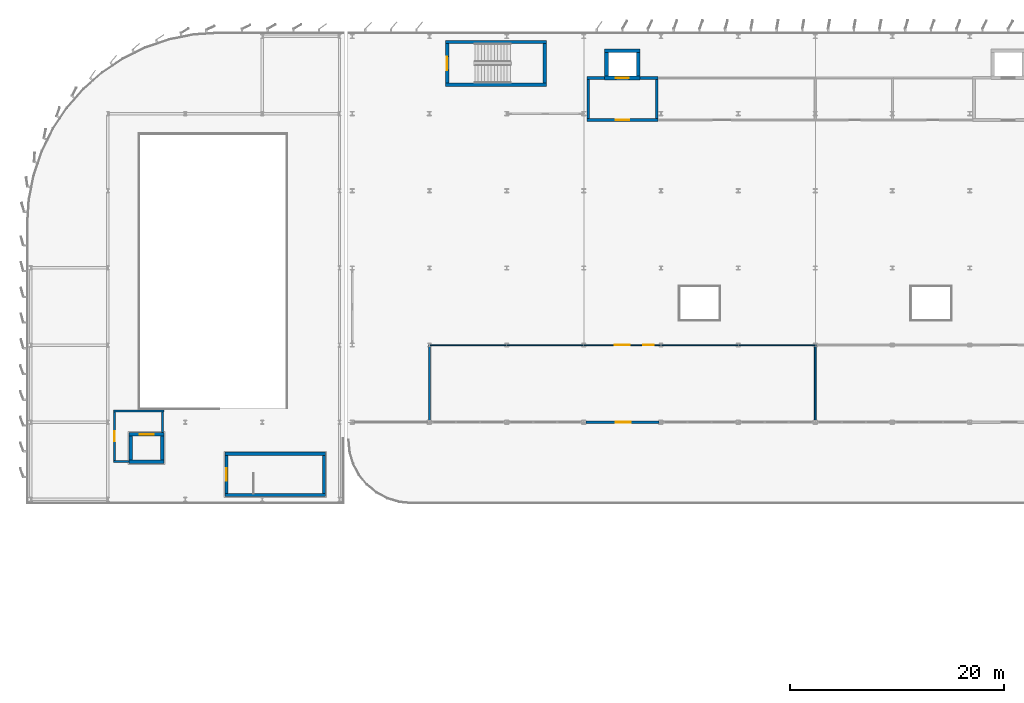
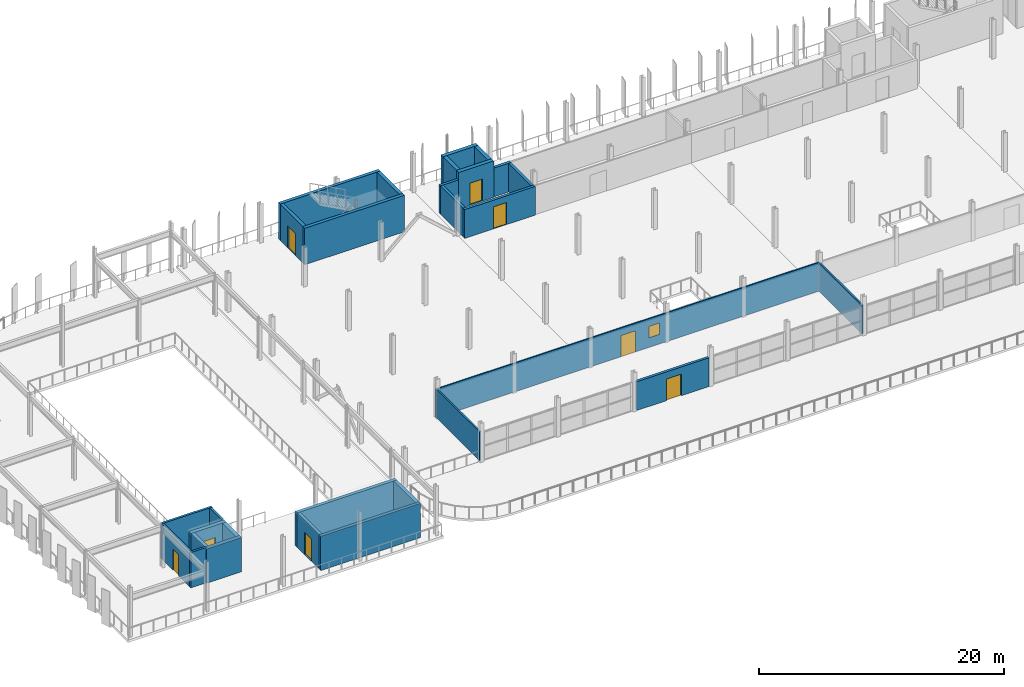
# One storey, part 27 of 40: 29 walls, 8 doors, 1 window, 9 openings.
"""IFC4 building model written with IfcOpenShell, lengths in metres."""

from ifc_helpers import new_model, si_unit, direction, frame, frame_2d, origin, place, context, subcontext, project, spatial, rectangle, extrude, material, layer, layer_set, type_object, element, fill, save


model = new_model("IFC4")

# Units and contexts
model_context = context("Model", 3, precision=1e-05, world=origin(), true_north=direction((0.0, 1.0)))
body_context = subcontext(model_context, "Body", "Model", "MODEL_VIEW")
ifc_project = project(units=[si_unit("LENGTHUNIT", "METRE"), si_unit("AREAUNIT", "SQUARE_METRE"), si_unit("VOLUMEUNIT", "CUBIC_METRE"), si_unit("PLANEANGLEUNIT", "RADIAN"), si_unit("MASSUNIT", "GRAM", prefix="KILO")], contexts=[model_context])

# Site, building, storey
site_placement = place(None, origin())
site = spatial("IfcSite", under=ifc_project, at=site_placement, CompositionType="ELEMENT")
building_placement = place(site_placement, origin())
building = spatial("IfcBuilding", under=site, at=building_placement, Name="Vaelcorin Mobility Hub", CompositionType="ELEMENT")
storey_placement = place(building_placement, frame((0.0, 0.0, 17.10009765625)))
storey = spatial("IfcBuildingStorey", under=building, at=storey_placement, Name="L04", CompositionType="ELEMENT", Elevation=17.10009765625)

# Walls
ifc_material_1 = material(Name="Reinforced concrete f'c 45 MPa", Category="concrete")
ifc_layer_1 = layer(ifc_material_1, 0.300048828125)
ifc_layer_set_1 = layer_set([ifc_layer_1], Name="Reinforced concrete f'c 45 MPa")
wall_type_1 = type_object("IfcWallType", Name="WL-CORE-300", PredefinedType="SOLIDWALL", material=ifc_layer_set_1)
for number, where, z_axis, x_axis, name in (
    (1, (33.5, 77.199951171875, 0.0), (0.0, 0.0, 1.0), (-1.0, 0.0, 0.0), "ST1 Fire Core Wall L04 South"),
    (2, (24.10009765625, 81.06005859375, 0.0), (0.0, 0.0, 1.0), (1.0, 0.0, 0.0), "ST1 Fire Core Wall L04 North"),
):
    element("IfcWall", number, at=place(storey_placement, frame(where, z_axis=z_axis, x_axis=x_axis)), inside=storey, type_object=wall_type_1, Name=name, PredefinedType="SOLIDWALL", context=body_context, shape_type="SweptSolid", body=[
        extrude(rectangle(XDim=9.39990234375, YDim=0.300048828125, at=frame_2d((4.699951171875, 0.0))), origin(), (0.0, 0.0, 1.0), 3.39990234375),
    ])

# Wall, opening, door
wall_1_placement = place(storey_placement, frame((24.25, 77.35009765625, 0.0), z_axis=(0.0, 0.0, 1.0), x_axis=(0.0, 1.0, 0.0)))
wall_1 = element("IfcWall", 3, at=wall_1_placement, inside=storey, type_object=wall_type_1, Name="ST1 Fire Core Wall L04 West", PredefinedType="SOLIDWALL", context=body_context, shape_type="SweptSolid", body=[
    extrude(rectangle(XDim=3.559814453125, YDim=0.300048828125, at=frame_2d((1.77978515625, 0.0))), origin(), (0.0, 0.0, 1.0), 3.39990234375),
])
opening_1_placement = place(wall_1_placement, frame((1.179931640625, 0.0, 0.0)))
opening_1 = element("IfcOpeningElement", 4, at=opening_1_placement, cuts=wall_1, Name="Opening SD01", PredefinedType="OPENING", context=body_context, shape_type="SweptSolid", body=[
    extrude(rectangle(XDim=1.199951171875, YDim=2.199951171875, at=frame_2d((0.60009765625, 1.10009765625))), frame((0.0, 0.159912109375, 0.0), z_axis=(0.0, -1.0, 0.0), x_axis=(1.0, 0.0, 0.0)), (0.0, 0.0, 1.0), 0.320068359375),
])
ifc_material_2 = material(Name="Hollow-metal insulated steel fire door", Category="steel")
door_type_1 = type_object("IfcDoorType", Name="DR-STAIR-90", OperationType="NOTDEFINED", PredefinedType="DOOR", material=ifc_material_2)
door_1_placement = place(opening_1_placement, origin())
door_1 = element("IfcDoor", 5, at=door_1_placement, inside=storey, type_object=door_type_1, Name="ST1 Protected Stair Door L04", OperationType="SINGLE_SWING_LEFT", OverallHeight=2.199951171875, OverallWidth=1.199951171875, PredefinedType="DOOR", context=body_context, shape_type="SweptSolid", body=[
    extrude(rectangle(XDim=1.199951171875, YDim=2.199951171875, at=frame_2d((0.60009765625, 1.10009765625))), frame((0.0, 0.02490234375, 0.0), z_axis=(0.0, -1.0, 0.0), x_axis=(1.0, 0.0, 0.0)), (0.0, 0.0, 1.0), 0.050048828125),
])
fill(opening_1, door_1)

# Walls
wall_2_placement = place(storey_placement, frame((33.35009765625, 80.909912109375, 0.0), z_axis=(0.0, 0.0, 1.0), x_axis=(0.0, -1.0, 0.0)))
element("IfcWall", 6, at=wall_2_placement, inside=storey, type_object=wall_type_1, Name="ST1 Fire Core Wall L04 East", PredefinedType="SOLIDWALL", context=body_context, shape_type="SweptSolid", body=[
    extrude(rectangle(XDim=3.559814453125, YDim=0.300048828125, at=frame_2d((1.77978515625, 0.0))), origin(), (0.0, 0.0, 1.0), 3.39990234375),
])
for number, where, z_axis, x_axis, name in (
    (7, (54.10009765625, 115.5, 0.0), (0.0, 0.0, 1.0), (-1.0, 0.0, 0.0), "ST3 Fire Core Wall L04 South"),
    (8, (44.699951171875, 119.47998046875, 0.0), (0.0, 0.0, 1.0), (1.0, 0.0, 0.0), "ST3 Fire Core Wall L04 North"),
):
    element("IfcWall", number, at=place(storey_placement, frame(where, z_axis=z_axis, x_axis=x_axis)), inside=storey, type_object=wall_type_1, Name=name, PredefinedType="SOLIDWALL", context=body_context, shape_type="SweptSolid", body=[
        extrude(rectangle(XDim=9.400146484375, YDim=0.300048828125, at=frame_2d((4.7001953125, 0.0))), origin(), (0.0, 0.0, 1.0), 3.639892578125),
    ])

# Wall, opening, door
wall_3_placement = place(storey_placement, frame((44.85009765625, 115.64990234375, 0.0), z_axis=(0.0, 0.0, 1.0), x_axis=(0.0, 1.0, 0.0)))
wall_3 = element("IfcWall", 9, at=wall_3_placement, inside=storey, type_object=wall_type_1, Name="ST3 Fire Core Wall L04 West", PredefinedType="SOLIDWALL", context=body_context, shape_type="SweptSolid", body=[
    extrude(rectangle(XDim=3.68017578125, YDim=0.300048828125, at=frame_2d((1.840087890625, 0.0))), origin(), (0.0, 0.0, 1.0), 3.639892578125),
])
opening_2_placement = place(wall_3_placement, frame((1.215087890625, 0.0, 0.0)))
opening_2 = element("IfcOpeningElement", 10, at=opening_2_placement, cuts=wall_3, Name="Opening SD02", PredefinedType="OPENING", context=body_context, shape_type="SweptSolid", body=[
    extrude(rectangle(XDim=1.25, YDim=2.199951171875, at=frame_2d((0.625, 1.10009765625))), frame((0.0, 0.159912109375, 0.0), z_axis=(0.0, -1.0, 0.0), x_axis=(1.0, 0.0, 0.0)), (0.0, 0.0, 1.0), 0.320068359375),
])
door_type_2 = type_object("IfcDoorType", Name="DR-STAIR-FF", OperationType="NOTDEFINED", PredefinedType="DOOR", material=ifc_material_2)
door_2_placement = place(opening_2_placement, origin())
door_2 = element("IfcDoor", 11, at=door_2_placement, inside=storey, type_object=door_type_2, Name="ST3 Protected Stair Door L04", OperationType="SINGLE_SWING_LEFT", OverallHeight=2.199951171875, OverallWidth=1.25, PredefinedType="DOOR", context=body_context, shape_type="SweptSolid", body=[
    extrude(rectangle(XDim=1.25, YDim=2.199951171875, at=frame_2d((0.625, 1.10009765625))), frame((0.0, 0.02490234375, 0.0), z_axis=(0.0, -1.0, 0.0), x_axis=(1.0, 0.0, 0.0)), (0.0, 0.0, 1.0), 0.050048828125),
])
fill(opening_2, door_2)

# Wall
wall_4_placement = place(storey_placement, frame((53.949951171875, 119.330078125, 0.0), z_axis=(0.0, 0.0, 1.0), x_axis=(0.0, -1.0, 0.0)))
element("IfcWall", 12, at=wall_4_placement, inside=storey, type_object=wall_type_1, Name="ST3 Fire Core Wall L04 East", PredefinedType="SOLIDWALL", context=body_context, shape_type="SweptSolid", body=[
    extrude(rectangle(XDim=3.68017578125, YDim=0.300048828125, at=frame_2d((1.840087890625, 0.0))), origin(), (0.0, 0.0, 1.0), 3.639892578125),
])

# Wall, opening, door
ifc_material_3 = material(Name="Insulated exterior precast concrete C40/50", Category="concrete")
ifc_layer_2 = layer(ifc_material_3, 0.239990234375)
ifc_layer_set_2 = layer_set([ifc_layer_2], Name="Insulated exterior precast concrete C40/50")
wall_type_2 = type_object("IfcWallType", Name="WL-EXT-240", PredefinedType="STANDARD", material=ifc_layer_set_2)
wall_5_placement = place(storey_placement, frame((64.60791015625, 84.0, 0.0), z_axis=(0.0, 0.0, 1.0), x_axis=(-1.0, 0.0, 0.0)))
wall_5 = element("IfcWall", 13, at=wall_5_placement, inside=storey, type_object=wall_type_2, Name="L04 Exterior Wall V4-EW-L04-S-04", PredefinedType="STANDARD", context=body_context, shape_type="SweptSolid", body=[
    extrude(rectangle(XDim=6.81591796875, YDim=0.239990234375, at=frame_2d((3.407958984375, 0.0))), origin(), (0.0, 0.0, 1.0), 2.867919921875),
])
opening_3_placement = place(wall_5_placement, frame((2.617919921875, 0.0, 0.0)))
opening_3 = element("IfcOpeningElement", 14, at=opening_3_placement, cuts=wall_5, Name="Opening ED04", PredefinedType="OPENING", context=body_context, shape_type="SweptSolid", body=[
    extrude(rectangle(XDim=1.39990234375, YDim=2.14990234375, at=frame_2d((0.699951171875, 1.074951171875))), frame((0.0, 0.1298828125, 0.0), z_axis=(0.0, -1.0, 0.0), x_axis=(1.0, 0.0, 0.0)), (0.0, 0.0, 1.0), 0.260009765625),
])
ifc_material_4 = material(Name="Anodised aluminium 6063-T6", Category="aluminium")
door_type_3 = type_object("IfcDoorType", Name="DR-EXT-1400X2150", OperationType="NOTDEFINED", PredefinedType="DOOR", material=ifc_material_4)
door_3_placement = place(opening_3_placement, origin())
door_3 = element("IfcDoor", 15, at=door_3_placement, inside=storey, type_object=door_type_3, Name="L04 Exterior Door DR-L04-VER-04", OperationType="SINGLE_SWING_RIGHT", OverallHeight=2.14990234375, OverallWidth=1.39990234375, PredefinedType="DOOR", context=body_context, shape_type="SweptSolid", body=[
    extrude(rectangle(XDim=1.39990234375, YDim=2.14990234375, at=frame_2d((0.699951171875, 1.074951171875))), frame((0.0, 0.02490234375, 0.0), z_axis=(0.0, -1.0, 0.0), x_axis=(1.0, 0.0, 0.0)), (0.0, 0.0, 1.0), 0.050048828125),
])
fill(opening_3, door_3)

# Wall, openings, door, window
ifc_material_5 = material(Name="Fire-rated acoustic steel-stud gypsum board", Category="steel")
ifc_layer_3 = layer(ifc_material_5, 0.10498046875)
ifc_layer_set_3 = layer_set([ifc_layer_3], Name="Fire-rated acoustic steel-stud gypsum board")
wall_type_3 = type_object("IfcWallType", Name="WL-PART-105", PredefinedType="PARTITIONING", material=ifc_layer_set_3)
wall_6_placement = place(storey_placement, frame((43.1201171875, 91.199951171875, 0.0), z_axis=(0.0, 0.0, 1.0), x_axis=(1.0, 0.0, 0.0)))
wall_6 = element("IfcWall", 16, at=wall_6_placement, inside=storey, type_object=wall_type_3, Name="Veranda Mobility Lounge Partition North", PredefinedType="PARTITIONING", context=body_context, shape_type="SweptSolid", body=[
    extrude(rectangle(XDim=36.159912109375, YDim=0.10498046875, at=frame_2d((18.080078125, 0.0))), origin(), (0.0, 0.0, 1.0), 2.86279296875),
])
opening_4_placement = place(wall_6_placement, frame((17.389892578125, 0.0, 0.0)))
opening_4 = element("IfcOpeningElement", 17, at=opening_4_placement, cuts=wall_6, Name="Opening ID10", PredefinedType="OPENING", context=body_context, shape_type="SweptSolid", body=[
    extrude(rectangle(XDim=1.3798828125, YDim=2.10009765625, at=frame_2d((0.68994140625, 1.050048828125))), frame((0.0, 0.0625, 0.0), z_axis=(0.0, -1.0, 0.0), x_axis=(1.0, 0.0, 0.0)), (0.0, 0.0, 1.0), 0.125),
])
opening_5_placement = place(wall_6_placement, frame((20.02001953125, 0.0, 0.949951171875)))
opening_5 = element("IfcOpeningElement", 18, at=opening_5_placement, cuts=wall_6, Name="Opening IW-WN05", PredefinedType="OPENING", context=body_context, shape_type="SweptSolid", body=[
    extrude(rectangle(XDim=1.0, YDim=1.14990234375, at=frame_2d((0.5, 0.574951171875))), frame((0.0, 0.0625, 0.0), z_axis=(0.0, -1.0, 0.0), x_axis=(1.0, 0.0, 0.0)), (0.0, 0.0, 1.0), 0.125),
])
ifc_material_6 = material(Name="Solid-core hardwood fire door assembly", Category="wood")
door_type_4 = type_object("IfcDoorType", Name="DR-INT-10", OperationType="NOTDEFINED", PredefinedType="DOOR", material=ifc_material_6)
door_4_placement = place(opening_4_placement, origin())
door_4 = element("IfcDoor", 19, at=door_4_placement, inside=storey, type_object=door_type_4, Name="Veranda Mobility Lounge Door", OperationType="SINGLE_SWING_RIGHT", OverallHeight=2.10009765625, OverallWidth=1.3798828125, PredefinedType="DOOR", context=body_context, shape_type="SweptSolid", body=[
    extrude(rectangle(XDim=1.3798828125, YDim=2.10009765625, at=frame_2d((0.68994140625, 1.050048828125))), frame((0.0, 0.02490234375, 0.0), z_axis=(0.0, -1.0, 0.0), x_axis=(1.0, 0.0, 0.0)), (0.0, 0.0, 1.0), 0.050048828125),
])
fill(opening_4, door_4)
ifc_material_7 = material(Name="Acoustic laminated fire-rated interior glazing", Category="glass")
window_type = type_object("IfcWindowType", Name="WIN-INT-05", PartitioningType="SINGLE_PANEL", PredefinedType="WINDOW", material=ifc_material_7)
window_placement = place(opening_5_placement, origin())
window = element("IfcWindow", 20, at=window_placement, inside=storey, type_object=window_type, Name="Veranda Mobility Lounge Observation Glazing", OverallHeight=1.14990234375, OverallWidth=1.0, PartitioningType="SINGLE_PANEL", PredefinedType="WINDOW", context=body_context, shape_type="SweptSolid", body=[
    extrude(rectangle(XDim=1.0, YDim=1.14990234375, at=frame_2d((0.5, 0.574951171875))), frame((0.0, 0.030029296875, 0.0), z_axis=(0.0, -1.0, 0.0), x_axis=(1.0, 0.0, 0.0)), (0.0, 0.0, 1.0), 0.06005859375),
])
fill(opening_5, window)

# Walls
ifc_layer_4 = layer(ifc_material_5, 0.14501953125)
ifc_layer_set_4 = layer_set([ifc_layer_4], Name="Fire-rated acoustic steel-stud gypsum board")
wall_type_4 = type_object("IfcWallType", Name="WL-PART-145", PredefinedType="PARTITIONING", material=ifc_layer_set_4)
wall_7_placement = place(storey_placement, frame((43.199951171875, 84.1220703125, 0.0), z_axis=(0.0, 0.0, 1.0), x_axis=(0.0, 1.0, 0.0)))
element("IfcWall", 21, at=wall_7_placement, inside=storey, type_object=wall_type_4, Name="Veranda Mobility Lounge Partition West", PredefinedType="PARTITIONING", context=body_context, shape_type="SweptSolid", body=[
    extrude(rectangle(XDim=7.02392578125, YDim=0.14501953125, at=frame_2d((3.511962890625, 0.0))), origin(), (0.0, 0.0, 1.0), 2.86279296875),
])
ifc_layer_5 = layer(ifc_material_5, 0.14990234375)
ifc_layer_set_5 = layer_set([ifc_layer_5], Name="Fire-rated acoustic steel-stud gypsum board")
wall_type_5 = type_object("IfcWallType", Name="WL-PART-150", PredefinedType="PARTITIONING", material=ifc_layer_set_5)
wall_8_placement = place(storey_placement, frame((79.199951171875, 91.14306640625, 0.0), z_axis=(0.0, 0.0, 1.0), x_axis=(0.0, -1.0, 0.0)))
element("IfcWall", 22, at=wall_8_placement, inside=storey, type_object=wall_type_5, Name="Veranda Mobility Lounge Partition East", PredefinedType="PARTITIONING", context=body_context, shape_type="SweptSolid", body=[
    extrude(rectangle(XDim=7.02099609375, YDim=0.14990234375, at=frame_2d((3.510498046875, 0.0))), origin(), (0.0, 0.0, 1.0), 2.86279296875),
])
ifc_material_8 = material(Name="Reinforced acoustic concrete masonry C30/37", Category="masonry")
ifc_layer_6 = layer(ifc_material_8, 0.205078125)
ifc_layer_set_6 = layer_set([ifc_layer_6], Name="Reinforced acoustic concrete masonry C30/37")
wall_type_6 = type_object("IfcWallType", Name="WL-PART-205", PredefinedType="PARTITIONING", material=ifc_layer_set_6)
wall_9_placement = place(storey_placement, frame((13.697998046875, 85.050048828125, 0.0), z_axis=(0.0, 0.0, 1.0), x_axis=(1.0, 0.0, 0.0)))
element("IfcWall", 23, at=wall_9_placement, inside=storey, type_object=wall_type_6, Name="West Drum Lift Lobby L04 Partition North", PredefinedType="PARTITIONING", context=body_context, shape_type="SweptSolid", body=[
    extrude(rectangle(XDim=4.751953125, YDim=0.205078125, at=frame_2d((2.3759765625, 0.0))), origin(), (0.0, 0.0, 1.0), 3.517822265625),
])
wall_10_placement = place(storey_placement, frame((15.14794921875, 80.324951171875, 0.0), z_axis=(0.0, 0.0, 1.0), x_axis=(-1.0, 0.0, 0.0)))
element("IfcWall", 24, at=wall_10_placement, inside=storey, type_object=wall_type_6, Name="West Drum Lift Lobby L04 Return Wall South", PredefinedType="PARTITIONING", context=body_context, shape_type="SweptSolid", body=[
    extrude(rectangle(XDim=1.449951171875, YDim=0.205078125, at=frame_2d((0.72509765625, 0.0))), origin(), (0.0, 0.0, 1.0), 3.517822265625),
])

# Wall, opening, door
wall_11_placement = place(storey_placement, frame((13.800048828125, 80.429931640625, 0.0), z_axis=(0.0, 0.0, 1.0), x_axis=(0.0, 1.0, 0.0)))
wall_11 = element("IfcWall", 25, at=wall_11_placement, inside=storey, type_object=wall_type_6, Name="West Drum Lift Lobby L04 Partition West", PredefinedType="PARTITIONING", context=body_context, shape_type="SweptSolid", body=[
    extrude(rectangle(XDim=4.51611328125, YDim=0.205078125, at=frame_2d((2.258056640625, 0.0))), origin(), (0.0, 0.0, 1.0), 3.517822265625),
])
opening_6_placement = place(wall_11_placement, frame((1.7880859375, 0.0, 0.0)))
opening_6 = element("IfcOpeningElement", 26, at=opening_6_placement, cuts=wall_11, Name="Opening ID02", PredefinedType="OPENING", context=body_context, shape_type="SweptSolid", body=[
    extrude(rectangle(XDim=0.93994140625, YDim=2.10009765625, at=frame_2d((0.469970703125, 1.050048828125))), frame((0.0, 0.112548828125, 0.0), z_axis=(0.0, -1.0, 0.0), x_axis=(1.0, 0.0, 0.0)), (0.0, 0.0, 1.0), 0.22509765625),
])
door_type_5 = type_object("IfcDoorType", Name="DR-INT-02", OperationType="NOTDEFINED", PredefinedType="DOOR", material=ifc_material_6)
door_5_placement = place(opening_6_placement, origin())
door_5 = element("IfcDoor", 27, at=door_5_placement, inside=storey, type_object=door_type_5, Name="West Drum Lift Lobby L04 Door", OperationType="SINGLE_SWING_LEFT", OverallHeight=2.10009765625, OverallWidth=0.93994140625, PredefinedType="DOOR", context=body_context, shape_type="SweptSolid", body=[
    extrude(rectangle(XDim=0.93994140625, YDim=2.10009765625, at=frame_2d((0.469970703125, 1.050048828125))), frame((0.0, 0.02490234375, 0.0), z_axis=(0.0, -1.0, 0.0), x_axis=(1.0, 0.0, 0.0)), (0.0, 0.0, 1.0), 0.050048828125),
])
fill(opening_6, door_5)

# Wall
wall_12_placement = place(storey_placement, frame((18.300048828125, 84.946044921875, 0.0), z_axis=(0.0, 0.0, 1.0), x_axis=(0.0, -1.0, 0.0)))
element("IfcWall", 28, at=wall_12_placement, inside=storey, type_object=wall_type_6, Name="West Drum Lift Lobby L04 Return Wall East", PredefinedType="PARTITIONING", context=body_context, shape_type="SweptSolid", body=[
    extrude(rectangle(XDim=1.89404296875, YDim=0.205078125, at=frame_2d((0.947021484375, 0.0))), origin(), (0.0, 0.0, 1.0), 3.517822265625),
])

# Wall, opening, door
ifc_layer_7 = layer(ifc_material_8, 0.25)
ifc_layer_set_7 = layer_set([ifc_layer_7], Name="Reinforced acoustic concrete masonry C30/37")
wall_type_7 = type_object("IfcWallType", Name="WL-PART-250", PredefinedType="PARTITIONING", material=ifc_layer_set_7)
wall_13_placement = place(storey_placement, frame((64.52490234375, 112.199951171875, 0.0), z_axis=(0.0, 0.0, 1.0), x_axis=(-1.0, 0.0, 0.0)))
wall_13 = element("IfcWall", 29, at=wall_13_placement, inside=storey, type_object=wall_type_7, Name="Firefighting Lobby West L04 Partition South", PredefinedType="PARTITIONING", context=body_context, shape_type="SweptSolid", body=[
    extrude(rectangle(XDim=6.64990234375, YDim=0.25, at=frame_2d((3.324951171875, 0.0))), origin(), (0.0, 0.0, 1.0), 2.86279296875),
])
opening_7_placement = place(wall_13_placement, frame((2.699951171875, 0.0, 0.0)))
opening_7 = element("IfcOpeningElement", 30, at=opening_7_placement, cuts=wall_13, Name="Opening SD02", PredefinedType="OPENING", context=body_context, shape_type="SweptSolid", body=[
    extrude(rectangle(XDim=1.25, YDim=2.199951171875, at=frame_2d((0.625, 1.10009765625))), frame((0.0, 0.135009765625, 0.0), z_axis=(0.0, -1.0, 0.0), x_axis=(1.0, 0.0, 0.0)), (0.0, 0.0, 1.0), 0.27001953125),
])
door_6_placement = place(opening_7_placement, origin())
door_6 = element("IfcDoor", 31, at=door_6_placement, inside=storey, type_object=door_type_2, Name="Firefighting Lobby West L04 Door", OperationType="SINGLE_SWING_LEFT", OverallHeight=2.199951171875, OverallWidth=1.25, PredefinedType="DOOR", context=body_context, shape_type="SweptSolid", body=[
    extrude(rectangle(XDim=1.25, YDim=2.199951171875, at=frame_2d((0.625, 1.10009765625))), frame((0.0, 0.02490234375, 0.0), z_axis=(0.0, -1.0, 0.0), x_axis=(1.0, 0.0, 0.0)), (0.0, 0.0, 1.0), 0.050048828125),
])
fill(opening_7, door_6)

# Walls
wall_14_placement = place(storey_placement, frame((57.875, 116.125, 0.0), z_axis=(0.0, 0.0, 1.0), x_axis=(1.0, 0.0, 0.0)))
element("IfcWall", 32, at=wall_14_placement, inside=storey, type_object=wall_type_7, Name="Firefighting Lobby West L04 Return Wall NW", PredefinedType="PARTITIONING", context=body_context, shape_type="SweptSolid", body=[
    extrude(rectangle(XDim=1.673095703125, YDim=0.25, at=frame_2d((0.83642578125, 0.0))), origin(), (0.0, 0.0, 1.0), 2.86279296875),
])
wall_15_placement = place(storey_placement, frame((62.85205078125, 116.125, 0.0), z_axis=(0.0, 0.0, 1.0), x_axis=(1.0, 0.0, 0.0)))
element("IfcWall", 33, at=wall_15_placement, inside=storey, type_object=wall_type_7, Name="Firefighting Lobby West L04 Return Wall NE", PredefinedType="PARTITIONING", context=body_context, shape_type="SweptSolid", body=[
    extrude(rectangle(XDim=1.6728515625, YDim=0.25, at=frame_2d((0.83642578125, 0.0))), origin(), (0.0, 0.0, 1.0), 2.86279296875),
])
for number, where, z_axis, x_axis, name in (
    (34, (58.0, 112.326904296875, 0.0), (0.0, 0.0, 1.0), (0.0, 1.0, 0.0), "Firefighting Lobby West L04 Partition West"),
    (35, (64.39990234375, 115.998046875, 0.0), (0.0, 0.0, 1.0), (0.0, -1.0, 0.0), "Firefighting Lobby West L04 Partition East"),
):
    element("IfcWall", number, at=place(storey_placement, frame(where, z_axis=z_axis, x_axis=x_axis)), inside=storey, type_object=wall_type_7, Name=name, PredefinedType="PARTITIONING", context=body_context, shape_type="SweptSolid", body=[
        extrude(rectangle(XDim=3.671142578125, YDim=0.25, at=frame_2d((1.83544921875, 0.0))), origin(), (0.0, 0.0, 1.0), 2.86279296875),
    ])

# Wall, opening, door
ifc_layer_8 = layer(ifc_material_1, 0.35009765625)
ifc_layer_set_8 = layer_set([ifc_layer_8], Name="Reinforced concrete f'c 45 MPa")
wall_type_8 = type_object("IfcWallType", Name="WL-SHEAR-350", PredefinedType="SHEAR", material=ifc_layer_set_8)
wall_16_placement = place(storey_placement, frame((62.85009765625, 116.125, 0.0), z_axis=(0.0, 0.0, 1.0), x_axis=(-1.0, 0.0, 0.0)))
wall_16 = element("IfcWall", 36, at=wall_16_placement, inside=storey, type_object=wall_type_8, Name="LF1 Lift Shaft Shear Wall L04 South", PredefinedType="SHEAR", context=body_context, shape_type="SweptSolid", body=[
    extrude(rectangle(XDim=3.300048828125, YDim=0.35009765625, at=frame_2d((1.64990234375, 0.0))), origin(), (0.0, 0.0, 1.0), 3.639892578125),
])
opening_8_placement = place(wall_16_placement, frame((1.050048828125, 0.0, 0.0)))
opening_8 = element("IfcOpeningElement", 37, at=opening_8_placement, cuts=wall_16, Name="Opening LD1", PredefinedType="OPENING", context=body_context, shape_type="SweptSolid", body=[
    extrude(rectangle(XDim=1.199951171875, YDim=2.199951171875, at=frame_2d((0.60009765625, 1.10009765625))), frame((0.0, 0.18505859375, 0.0), z_axis=(0.0, -1.0, 0.0), x_axis=(1.0, 0.0, 0.0)), (0.0, 0.0, 1.0), 0.3701171875),
])
ifc_material_9 = material(Name="Brushed stainless steel 316L", Category="steel")
door_type_6 = type_object("IfcDoorType", Name="DR-LIFT-LD1", OperationType="NOTDEFINED", PredefinedType="DOOR", material=ifc_material_9)
door_7_placement = place(opening_8_placement, origin())
door_7 = element("IfcDoor", 38, at=door_7_placement, inside=storey, type_object=door_type_6, Name="LF1 Lift Landing Sliding Door L04", OperationType="DOUBLE_DOOR_SLIDING", OverallHeight=2.199951171875, OverallWidth=1.199951171875, PredefinedType="DOOR", context=body_context, shape_type="SweptSolid", body=[
    extrude(rectangle(XDim=1.199951171875, YDim=2.199951171875, at=frame_2d((0.60009765625, 1.10009765625))), frame((0.0, 0.02490234375, 0.0), z_axis=(0.0, -1.0, 0.0), x_axis=(1.0, 0.0, 0.0)), (0.0, 0.0, 1.0), 0.050048828125),
])
fill(opening_8, door_7)

# Walls
wall_17_placement = place(storey_placement, frame((59.550048828125, 118.675048828125, 0.0), z_axis=(0.0, 0.0, 1.0), x_axis=(1.0, 0.0, 0.0)))
element("IfcWall", 39, at=wall_17_placement, inside=storey, type_object=wall_type_8, Name="LF1 Lift Shaft Shear Wall L04 North", PredefinedType="SHEAR", context=body_context, shape_type="SweptSolid", body=[
    extrude(rectangle(XDim=3.300048828125, YDim=0.35009765625, at=frame_2d((1.64990234375, 0.0))), origin(), (0.0, 0.0, 1.0), 3.639892578125),
])
for number, where, z_axis, x_axis, name in (
    (40, (59.72509765625, 116.300048828125, 0.0), (0.0, 0.0, 1.0), (0.0, 1.0, 0.0), "LF1 Lift Shaft Shear Wall L04 West"),
    (41, (62.675048828125, 118.5, 0.0), (0.0, 0.0, 1.0), (0.0, -1.0, 0.0), "LF1 Lift Shaft Shear Wall L04 East"),
):
    element("IfcWall", number, at=place(storey_placement, frame(where, z_axis=z_axis, x_axis=x_axis)), inside=storey, type_object=wall_type_8, Name=name, PredefinedType="SHEAR", context=body_context, shape_type="SweptSolid", body=[
        extrude(rectangle(XDim=2.199951171875, YDim=0.35009765625, at=frame_2d((1.10009765625, 0.0))), origin(), (0.0, 0.0, 1.0), 3.639892578125),
    ])
wall_18_placement = place(storey_placement, frame((18.449951171875, 80.324951171875, 0.0), z_axis=(0.0, 0.0, 1.0), x_axis=(-1.0, 0.0, 0.0)))
element("IfcWall", 42, at=wall_18_placement, inside=storey, type_object=wall_type_8, Name="LF4 Lift Shaft Shear Wall L04 South", PredefinedType="SHEAR", context=body_context, shape_type="SweptSolid", body=[
    extrude(rectangle(XDim=3.300048828125, YDim=0.35009765625, at=frame_2d((1.64990234375, 0.0))), origin(), (0.0, 0.0, 1.0), 3.39990234375),
])

# Wall, opening, door
wall_19_placement = place(storey_placement, frame((15.14990234375, 82.875, 0.0), z_axis=(0.0, 0.0, 1.0), x_axis=(1.0, 0.0, 0.0)))
wall_19 = element("IfcWall", 43, at=wall_19_placement, inside=storey, type_object=wall_type_8, Name="LF4 Lift Shaft Shear Wall L04 North", PredefinedType="SHEAR", context=body_context, shape_type="SweptSolid", body=[
    extrude(rectangle(XDim=3.300048828125, YDim=0.35009765625, at=frame_2d((1.64990234375, 0.0))), origin(), (0.0, 0.0, 1.0), 3.39990234375),
])
opening_9_placement = place(wall_19_placement, frame((1.0, 0.0, 0.0)))
opening_9 = element("IfcOpeningElement", 44, at=opening_9_placement, cuts=wall_19, Name="Opening LD2", PredefinedType="OPENING", context=body_context, shape_type="SweptSolid", body=[
    extrude(rectangle(XDim=1.300048828125, YDim=2.199951171875, at=frame_2d((0.64990234375, 1.10009765625))), frame((0.0, 0.18505859375, 0.0), z_axis=(0.0, -1.0, 0.0), x_axis=(1.0, 0.0, 0.0)), (0.0, 0.0, 1.0), 0.3701171875),
])
door_type_7 = type_object("IfcDoorType", Name="DR-LIFT-LD2", OperationType="NOTDEFINED", PredefinedType="DOOR", material=ifc_material_9)
door_8_placement = place(opening_9_placement, origin())
door_8 = element("IfcDoor", 45, at=door_8_placement, inside=storey, type_object=door_type_7, Name="LF4 Lift Landing Sliding Door L04", OperationType="DOUBLE_DOOR_SLIDING", OverallHeight=2.199951171875, OverallWidth=1.300048828125, PredefinedType="DOOR", context=body_context, shape_type="SweptSolid", body=[
    extrude(rectangle(XDim=1.300048828125, YDim=2.199951171875, at=frame_2d((0.64990234375, 1.10009765625))), frame((0.0, 0.02490234375, 0.0), z_axis=(0.0, -1.0, 0.0), x_axis=(1.0, 0.0, 0.0)), (0.0, 0.0, 1.0), 0.050048828125),
])
fill(opening_9, door_8)

# Walls
for number, where, z_axis, x_axis, name in (
    (46, (15.324951171875, 80.5, 0.0), (0.0, 0.0, 1.0), (0.0, 1.0, 0.0), "LF4 Lift Shaft Shear Wall L04 West"),
    (47, (18.27490234375, 82.699951171875, 0.0), (0.0, 0.0, 1.0), (0.0, -1.0, 0.0), "LF4 Lift Shaft Shear Wall L04 East"),
):
    element("IfcWall", number, at=place(storey_placement, frame(where, z_axis=z_axis, x_axis=x_axis)), inside=storey, type_object=wall_type_8, Name=name, PredefinedType="SHEAR", context=body_context, shape_type="SweptSolid", body=[
        extrude(rectangle(XDim=2.199951171875, YDim=0.35009765625, at=frame_2d((1.10009765625, 0.0))), origin(), (0.0, 0.0, 1.0), 3.39990234375),
    ])

save(model, "model.ifc")
